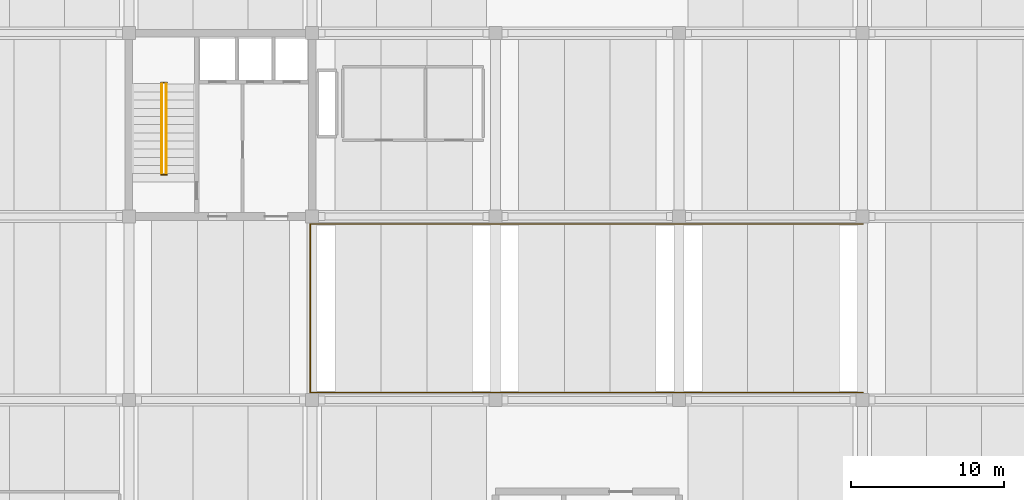
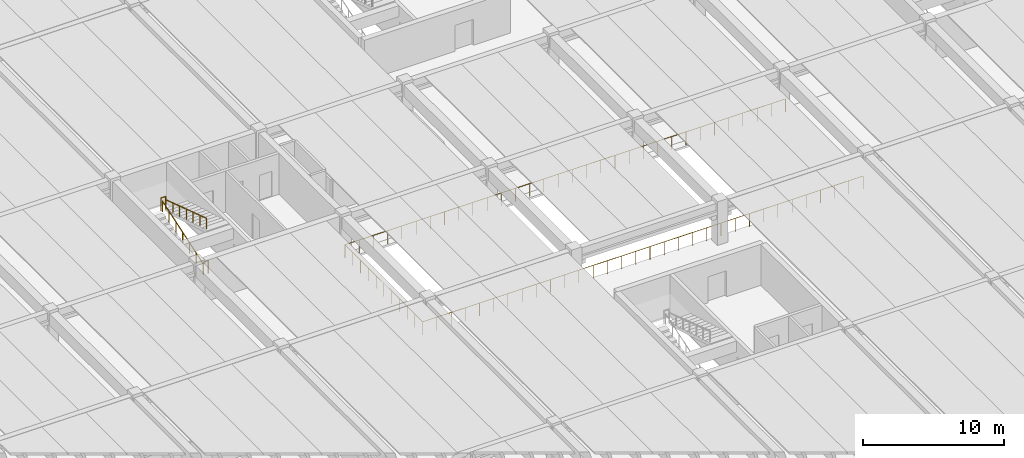
# One storey, part 15 of 16: 5 railings.
"""IFC4 building model written with IfcOpenShell, lengths in metres."""

from ifc_helpers import new_model, si_unit, direction, frame, origin, origin_2d, place, context, subcontext, project, spatial, circle, extrude, material, layer, layer_set, type_object, element, save


model = new_model("IFC4")

# Units and contexts
model_context = context("Model", 3, precision=1e-05, world=origin(), true_north=direction((0.0, 1.0)))
body_context = subcontext(model_context, "Body", "Model", "MODEL_VIEW")
ifc_project = project(units=[si_unit("LENGTHUNIT", "METRE"), si_unit("AREAUNIT", "SQUARE_METRE"), si_unit("VOLUMEUNIT", "CUBIC_METRE"), si_unit("PLANEANGLEUNIT", "RADIAN"), si_unit("MASSUNIT", "GRAM", prefix="KILO")], contexts=[model_context])

# Site, building, storey
site_placement = place(None, origin())
site = spatial("IfcSite", under=ifc_project, at=site_placement, CompositionType="ELEMENT")
building_placement = place(site_placement, origin())
building = spatial("IfcBuilding", under=site, at=building_placement, Name="Girod Span Mobility Hub", CompositionType="ELEMENT")
storey_placement = place(building_placement, frame((0.0, 0.0, 28.60009765625)))
storey = spatial("IfcBuildingStorey", under=building, at=storey_placement, Name="L07", CompositionType="ELEMENT", Elevation=28.60009765625)

# Railings
ifc_material_1 = material(Name="Painted Galvanised Steel", Category="steel")
ifc_layer_1 = layer(ifc_material_1, 0.06494140625)
ifc_layer_set_1 = layer_set([ifc_layer_1], Name="Painted Galvanised Steel")
railing_type_1 = type_object("IfcRailingType", Name="RL-GRD-1120", PredefinedType="GUARDRAIL", material=ifc_layer_set_1)
for number, where, name in (
    (1, (50.10009765625, 65.77001953125, 1.89990234375), "Stair ST-1 Half-Landing Well Guard L07"),
    (2, (50.10009765625, 59.72998046875, 0.0), "Stair ST-1 Landing Well Guard L07"),
):
    element("IfcRailing", number, at=place(storey_placement, frame(where)), inside=storey, type_object=railing_type_1, Name=name, PredefinedType="GUARDRAIL", context=body_context, shape_type="SweptSolid", body=[
        extrude(circle(Radius=0.02392578125, at=origin_2d()), frame((0.0, 0.0, 1.09619140625), z_axis=(1.0, 0.0, 0.0), x_axis=(0.0, 1.0, 0.0)), (0.0, 0.0, 1.0), 0.39990234375),
        extrude(circle(Radius=0.02099609375, at=origin_2d()), origin(), (0.0, 0.0, 1.0), 1.072021484375),
        extrude(circle(Radius=0.02099609375, at=origin_2d()), frame((0.39990234375, 0.0, 0.0)), (0.0, 0.0, 1.0), 1.072021484375),
    ])
ifc_material_2 = material(Name="Painted Galvanised Steel", Category="steel")
ifc_layer_2 = layer(ifc_material_2, 0.074951171875)
ifc_layer_set_2 = layer_set([ifc_layer_2], Name="Painted Galvanised Steel")
railing_type_2 = type_object("IfcRailingType", Name="RL-GRD-1150", PredefinedType="GUARDRAIL", material=ifc_layer_set_2)
railing_1_placement = place(storey_placement, frame((96.050048828125, 45.47998046875, 0.0)))
element("IfcRailing", 3, at=railing_1_placement, inside=storey, type_object=railing_type_2, Name="Ramp Well Deck Guardrail L07", PredefinedType="GUARDRAIL", context=body_context, shape_type="SweptSolid", body=[
    extrude(circle(Radius=0.02392578125, at=origin_2d()), frame((0.0, 0.0, 1.1259765625), z_axis=(-1.0, 0.0, 0.0), x_axis=(0.0, -1.0, 0.0)), (0.0, 0.0, 1.0), 36.170166015625),
    extrude(circle(Radius=0.02392578125, at=origin_2d()), frame((-36.170166015625, 0.0, 1.1259765625), z_axis=(0.0, 1.0, 0.0), x_axis=(-1.0, 0.0, 0.0)), (0.0, 0.0, 1.0), 11.0400390625),
    extrude(circle(Radius=0.02392578125, at=origin_2d()), frame((-36.170166015625, 11.0400390625, 1.1259765625), z_axis=(1.0, 0.0, 0.0), x_axis=(0.0, 1.0, 0.0)), (0.0, 0.0, 1.0), 36.170166015625),
    extrude(circle(Radius=0.02099609375, at=origin_2d()), origin(), (0.0, 0.0, 1.0), 1.101806640625),
    extrude(circle(Radius=0.02099609375, at=origin_2d()), frame((-1.166748046875, 0.0, 0.0)), (0.0, 0.0, 1.0), 1.101806640625),
    extrude(circle(Radius=0.02099609375, at=origin_2d()), frame((-2.33349609375, 0.0, 0.0)), (0.0, 0.0, 1.0), 1.101806640625),
    extrude(circle(Radius=0.02099609375, at=origin_2d()), frame((-3.500244140625, 0.0, 0.0)), (0.0, 0.0, 1.0), 1.101806640625),
    extrude(circle(Radius=0.02099609375, at=origin_2d()), frame((-4.667236328125, 0.0, 0.0)), (0.0, 0.0, 1.0), 1.101806640625),
    extrude(circle(Radius=0.02099609375, at=origin_2d()), frame((-5.833984375, 0.0, 0.0)), (0.0, 0.0, 1.0), 1.101806640625),
    extrude(circle(Radius=0.02099609375, at=origin_2d()), frame((-7.000732421875, 0.0, 0.0)), (0.0, 0.0, 1.0), 1.101806640625),
    extrude(circle(Radius=0.02099609375, at=origin_2d()), frame((-8.16748046875, 0.0, 0.0)), (0.0, 0.0, 1.0), 1.101806640625),
    extrude(circle(Radius=0.02099609375, at=origin_2d()), frame((-9.334228515625, 0.0, 0.0)), (0.0, 0.0, 1.0), 1.101806640625),
    extrude(circle(Radius=0.02099609375, at=origin_2d()), frame((-10.5009765625, 0.0, 0.0)), (0.0, 0.0, 1.0), 1.101806640625),
    extrude(circle(Radius=0.02099609375, at=origin_2d()), frame((-11.667724609375, 0.0, 0.0)), (0.0, 0.0, 1.0), 1.101806640625),
    extrude(circle(Radius=0.02099609375, at=origin_2d()), frame((-12.83447265625, 0.0, 0.0)), (0.0, 0.0, 1.0), 1.101806640625),
    extrude(circle(Radius=0.02099609375, at=origin_2d()), frame((-14.00146484375, 0.0, 0.0)), (0.0, 0.0, 1.0), 1.101806640625),
    extrude(circle(Radius=0.02099609375, at=origin_2d()), frame((-15.168212890625, 0.0, 0.0)), (0.0, 0.0, 1.0), 1.101806640625),
    extrude(circle(Radius=0.02099609375, at=origin_2d()), frame((-16.3349609375, 0.0, 0.0)), (0.0, 0.0, 1.0), 1.101806640625),
    extrude(circle(Radius=0.02099609375, at=origin_2d()), frame((-17.501708984375, 0.0, 0.0)), (0.0, 0.0, 1.0), 1.101806640625),
    extrude(circle(Radius=0.02099609375, at=origin_2d()), frame((-18.66845703125, 0.0, 0.0)), (0.0, 0.0, 1.0), 1.101806640625),
    extrude(circle(Radius=0.02099609375, at=origin_2d()), frame((-19.835205078125, 0.0, 0.0)), (0.0, 0.0, 1.0), 1.101806640625),
    extrude(circle(Radius=0.02099609375, at=origin_2d()), frame((-21.001953125, 0.0, 0.0)), (0.0, 0.0, 1.0), 1.101806640625),
    extrude(circle(Radius=0.02099609375, at=origin_2d()), frame((-22.168701171875, 0.0, 0.0)), (0.0, 0.0, 1.0), 1.101806640625),
    extrude(circle(Radius=0.02099609375, at=origin_2d()), frame((-23.335693359375, 0.0, 0.0)), (0.0, 0.0, 1.0), 1.101806640625),
    extrude(circle(Radius=0.02099609375, at=origin_2d()), frame((-24.50244140625, 0.0, 0.0)), (0.0, 0.0, 1.0), 1.101806640625),
    extrude(circle(Radius=0.02099609375, at=origin_2d()), frame((-25.669189453125, 0.0, 0.0)), (0.0, 0.0, 1.0), 1.101806640625),
    extrude(circle(Radius=0.02099609375, at=origin_2d()), frame((-26.8359375, 0.0, 0.0)), (0.0, 0.0, 1.0), 1.101806640625),
    extrude(circle(Radius=0.02099609375, at=origin_2d()), frame((-28.002685546875, 0.0, 0.0)), (0.0, 0.0, 1.0), 1.101806640625),
    extrude(circle(Radius=0.02099609375, at=origin_2d()), frame((-29.16943359375, 0.0, 0.0)), (0.0, 0.0, 1.0), 1.101806640625),
    extrude(circle(Radius=0.02099609375, at=origin_2d()), frame((-30.336181640625, 0.0, 0.0)), (0.0, 0.0, 1.0), 1.101806640625),
    extrude(circle(Radius=0.02099609375, at=origin_2d()), frame((-31.5029296875, 0.0, 0.0)), (0.0, 0.0, 1.0), 1.101806640625),
    extrude(circle(Radius=0.02099609375, at=origin_2d()), frame((-32.669921875, 0.0, 0.0)), (0.0, 0.0, 1.0), 1.101806640625),
    extrude(circle(Radius=0.02099609375, at=origin_2d()), frame((-33.836669921875, 0.0, 0.0)), (0.0, 0.0, 1.0), 1.101806640625),
    extrude(circle(Radius=0.02099609375, at=origin_2d()), frame((-35.00341796875, 0.0, 0.0)), (0.0, 0.0, 1.0), 1.101806640625),
    extrude(circle(Radius=0.02099609375, at=origin_2d()), frame((-36.170166015625, 0.0, 0.0)), (0.0, 0.0, 1.0), 1.101806640625),
    extrude(circle(Radius=0.02099609375, at=origin_2d()), frame((-36.170166015625, 1.10400390625, 0.0)), (0.0, 0.0, 1.0), 1.101806640625),
    extrude(circle(Radius=0.02099609375, at=origin_2d()), frame((-36.170166015625, 2.2080078125, 0.0)), (0.0, 0.0, 1.0), 1.101806640625),
    extrude(circle(Radius=0.02099609375, at=origin_2d()), frame((-36.170166015625, 3.31201171875, 0.0)), (0.0, 0.0, 1.0), 1.101806640625),
    extrude(circle(Radius=0.02099609375, at=origin_2d()), frame((-36.170166015625, 4.416015625, 0.0)), (0.0, 0.0, 1.0), 1.101806640625),
    extrude(circle(Radius=0.02099609375, at=origin_2d()), frame((-36.170166015625, 5.52001953125, 0.0)), (0.0, 0.0, 1.0), 1.101806640625),
    extrude(circle(Radius=0.02099609375, at=origin_2d()), frame((-36.170166015625, 6.6240234375, 0.0)), (0.0, 0.0, 1.0), 1.101806640625),
    extrude(circle(Radius=0.02099609375, at=origin_2d()), frame((-36.170166015625, 7.72802734375, 0.0)), (0.0, 0.0, 1.0), 1.101806640625),
    extrude(circle(Radius=0.02099609375, at=origin_2d()), frame((-36.170166015625, 8.83203125, 0.0)), (0.0, 0.0, 1.0), 1.101806640625),
    extrude(circle(Radius=0.02099609375, at=origin_2d()), frame((-36.170166015625, 9.93603515625, 0.0)), (0.0, 0.0, 1.0), 1.101806640625),
    extrude(circle(Radius=0.02099609375, at=origin_2d()), frame((-36.170166015625, 11.0400390625, 0.0)), (0.0, 0.0, 1.0), 1.101806640625),
    extrude(circle(Radius=0.02099609375, at=origin_2d()), frame((-35.00341796875, 11.0400390625, 0.0)), (0.0, 0.0, 1.0), 1.101806640625),
    extrude(circle(Radius=0.02099609375, at=origin_2d()), frame((-33.836669921875, 11.0400390625, 0.0)), (0.0, 0.0, 1.0), 1.101806640625),
    extrude(circle(Radius=0.02099609375, at=origin_2d()), frame((-32.669921875, 11.0400390625, 0.0)), (0.0, 0.0, 1.0), 1.101806640625),
    extrude(circle(Radius=0.02099609375, at=origin_2d()), frame((-31.5029296875, 11.0400390625, 0.0)), (0.0, 0.0, 1.0), 1.101806640625),
    extrude(circle(Radius=0.02099609375, at=origin_2d()), frame((-30.336181640625, 11.0400390625, 0.0)), (0.0, 0.0, 1.0), 1.101806640625),
    extrude(circle(Radius=0.02099609375, at=origin_2d()), frame((-29.16943359375, 11.0400390625, 0.0)), (0.0, 0.0, 1.0), 1.101806640625),
    extrude(circle(Radius=0.02099609375, at=origin_2d()), frame((-28.002685546875, 11.0400390625, 0.0)), (0.0, 0.0, 1.0), 1.101806640625),
    extrude(circle(Radius=0.02099609375, at=origin_2d()), frame((-26.8359375, 11.0400390625, 0.0)), (0.0, 0.0, 1.0), 1.101806640625),
    extrude(circle(Radius=0.02099609375, at=origin_2d()), frame((-25.669189453125, 11.0400390625, 0.0)), (0.0, 0.0, 1.0), 1.101806640625),
    extrude(circle(Radius=0.02099609375, at=origin_2d()), frame((-24.50244140625, 11.0400390625, 0.0)), (0.0, 0.0, 1.0), 1.101806640625),
    extrude(circle(Radius=0.02099609375, at=origin_2d()), frame((-23.335693359375, 11.0400390625, 0.0)), (0.0, 0.0, 1.0), 1.101806640625),
    extrude(circle(Radius=0.02099609375, at=origin_2d()), frame((-22.168701171875, 11.0400390625, 0.0)), (0.0, 0.0, 1.0), 1.101806640625),
    extrude(circle(Radius=0.02099609375, at=origin_2d()), frame((-21.001953125, 11.0400390625, 0.0)), (0.0, 0.0, 1.0), 1.101806640625),
    extrude(circle(Radius=0.02099609375, at=origin_2d()), frame((-19.835205078125, 11.0400390625, 0.0)), (0.0, 0.0, 1.0), 1.101806640625),
    extrude(circle(Radius=0.02099609375, at=origin_2d()), frame((-18.66845703125, 11.0400390625, 0.0)), (0.0, 0.0, 1.0), 1.101806640625),
    extrude(circle(Radius=0.02099609375, at=origin_2d()), frame((-17.501708984375, 11.0400390625, 0.0)), (0.0, 0.0, 1.0), 1.101806640625),
    extrude(circle(Radius=0.02099609375, at=origin_2d()), frame((-16.3349609375, 11.0400390625, 0.0)), (0.0, 0.0, 1.0), 1.101806640625),
    extrude(circle(Radius=0.02099609375, at=origin_2d()), frame((-15.168212890625, 11.0400390625, 0.0)), (0.0, 0.0, 1.0), 1.101806640625),
    extrude(circle(Radius=0.02099609375, at=origin_2d()), frame((-14.00146484375, 11.0400390625, 0.0)), (0.0, 0.0, 1.0), 1.101806640625),
    extrude(circle(Radius=0.02099609375, at=origin_2d()), frame((-12.83447265625, 11.0400390625, 0.0)), (0.0, 0.0, 1.0), 1.101806640625),
    extrude(circle(Radius=0.02099609375, at=origin_2d()), frame((-11.667724609375, 11.0400390625, 0.0)), (0.0, 0.0, 1.0), 1.101806640625),
    extrude(circle(Radius=0.02099609375, at=origin_2d()), frame((-10.5009765625, 11.0400390625, 0.0)), (0.0, 0.0, 1.0), 1.101806640625),
    extrude(circle(Radius=0.02099609375, at=origin_2d()), frame((-9.334228515625, 11.0400390625, 0.0)), (0.0, 0.0, 1.0), 1.101806640625),
    extrude(circle(Radius=0.02099609375, at=origin_2d()), frame((-8.16748046875, 11.0400390625, 0.0)), (0.0, 0.0, 1.0), 1.101806640625),
    extrude(circle(Radius=0.02099609375, at=origin_2d()), frame((-7.000732421875, 11.0400390625, 0.0)), (0.0, 0.0, 1.0), 1.101806640625),
    extrude(circle(Radius=0.02099609375, at=origin_2d()), frame((-5.833984375, 11.0400390625, 0.0)), (0.0, 0.0, 1.0), 1.101806640625),
    extrude(circle(Radius=0.02099609375, at=origin_2d()), frame((-4.667236328125, 11.0400390625, 0.0)), (0.0, 0.0, 1.0), 1.101806640625),
    extrude(circle(Radius=0.02099609375, at=origin_2d()), frame((-3.500244140625, 11.0400390625, 0.0)), (0.0, 0.0, 1.0), 1.101806640625),
    extrude(circle(Radius=0.02099609375, at=origin_2d()), frame((-2.33349609375, 11.0400390625, 0.0)), (0.0, 0.0, 1.0), 1.101806640625),
    extrude(circle(Radius=0.02099609375, at=origin_2d()), frame((-1.166748046875, 11.0400390625, 0.0)), (0.0, 0.0, 1.0), 1.101806640625),
    extrude(circle(Radius=0.02099609375, at=origin_2d()), frame((0.0, 11.0400390625, 0.0)), (0.0, 0.0, 1.0), 1.101806640625),
])
ifc_material_3 = material(Name="Painted Galvanised Steel", Category="steel")
ifc_layer_3 = layer(ifc_material_3, 0.050048828125)
ifc_layer_set_3 = layer_set([ifc_layer_3], Name="Painted Galvanised Steel")
railing_type_3 = type_object("IfcRailingType", Name="RL-HR-920", PredefinedType="HANDRAIL", material=ifc_layer_set_3)
railing_2_placement = place(storey_placement, frame((50.14990234375, 59.860107421875, 0.0)))
element("IfcRailing", 4, at=railing_2_placement, inside=storey, type_object=railing_type_3, Name="Stair ST-1 Flight 1 Handrail L07", PredefinedType="HANDRAIL", context=body_context, shape_type="SweptSolid", body=[
    extrude(circle(Radius=0.02392578125, at=origin_2d()), frame((0.0, 0.0, 0.89599609375), z_axis=(0.0, 0.949991280403, 0.312276427477), x_axis=(-1.0, 0.0, 0.0)), (0.0, 0.0, 1.0), 6.083984375),
    extrude(circle(Radius=0.02099609375, at=origin_2d()), origin(), (0.0, 0.0, 1.0), 0.871826171875),
    extrude(circle(Radius=0.02099609375, at=origin_2d()), frame((0.0, 0.96337890625, 0.316650390625)), (0.0, 0.0, 1.0), 0.871826171875),
    extrude(circle(Radius=0.02099609375, at=origin_2d()), frame((0.0, 1.926513671875, 0.63330078125)), (0.0, 0.0, 1.0), 0.871826171875),
    extrude(circle(Radius=0.02099609375, at=origin_2d()), frame((0.0, 2.889892578125, 0.949951171875)), (0.0, 0.0, 1.0), 0.871826171875),
    extrude(circle(Radius=0.02099609375, at=origin_2d()), frame((0.0, 3.853271484375, 1.2666015625)), (0.0, 0.0, 1.0), 0.871826171875),
    extrude(circle(Radius=0.02099609375, at=origin_2d()), frame((0.0, 4.81640625, 1.583251953125)), (0.0, 0.0, 1.0), 0.871826171875),
    extrude(circle(Radius=0.02099609375, at=origin_2d()), frame((0.0, 5.77978515625, 1.89990234375)), (0.0, 0.0, 1.0), 0.871826171875),
])
railing_3_placement = place(storey_placement, frame((50.449951171875, 65.639892578125, 1.89990234375)))
element("IfcRailing", 5, at=railing_3_placement, inside=storey, type_object=railing_type_3, Name="Stair ST-1 Flight 2 Handrail L07", PredefinedType="HANDRAIL", context=body_context, shape_type="SweptSolid", body=[
    extrude(circle(Radius=0.02392578125, at=origin_2d()), frame((0.0, 0.0, 0.89599609375), z_axis=(0.0, -0.949991280403, 0.312276427477), x_axis=(1.0, 0.0, 0.0)), (0.0, 0.0, 1.0), 6.083984375),
    extrude(circle(Radius=0.02099609375, at=origin_2d()), origin(), (0.0, 0.0, 1.0), 0.871826171875),
    extrude(circle(Radius=0.02099609375, at=origin_2d()), frame((0.0, -0.96337890625, 0.316650390625)), (0.0, 0.0, 1.0), 0.871826171875),
    extrude(circle(Radius=0.02099609375, at=origin_2d()), frame((0.0, -1.926513671875, 0.63330078125)), (0.0, 0.0, 1.0), 0.871826171875),
    extrude(circle(Radius=0.02099609375, at=origin_2d()), frame((0.0, -2.889892578125, 0.949951171875)), (0.0, 0.0, 1.0), 0.871826171875),
    extrude(circle(Radius=0.02099609375, at=origin_2d()), frame((0.0, -3.853271484375, 1.2666015625)), (0.0, 0.0, 1.0), 0.871826171875),
    extrude(circle(Radius=0.02099609375, at=origin_2d()), frame((0.0, -4.81640625, 1.583251953125)), (0.0, 0.0, 1.0), 0.871826171875),
    extrude(circle(Radius=0.02099609375, at=origin_2d()), frame((0.0, -5.77978515625, 1.89990234375)), (0.0, 0.0, 1.0), 0.871826171875),
])

save(model, "model.ifc")
